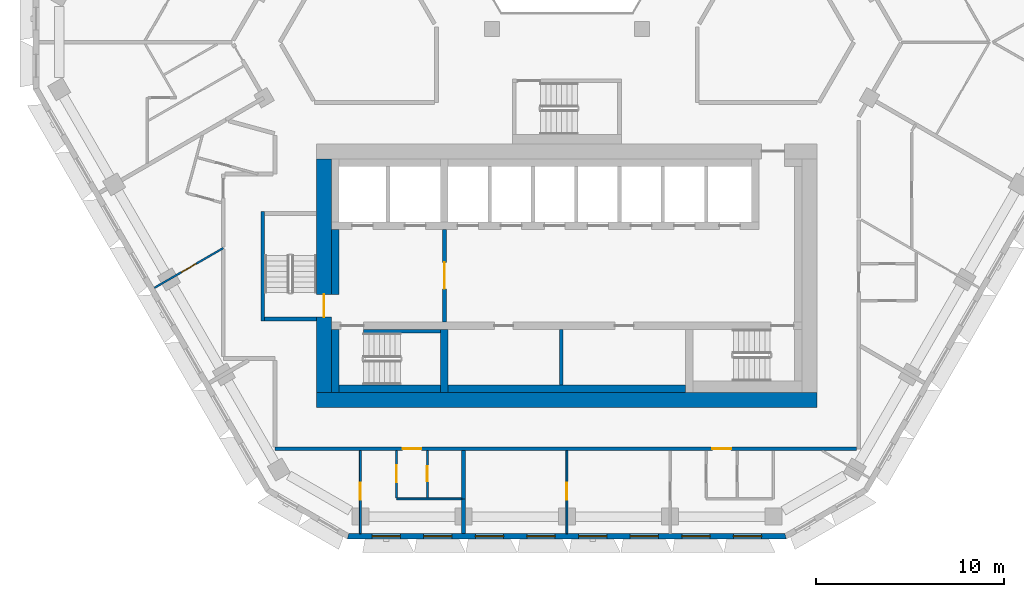
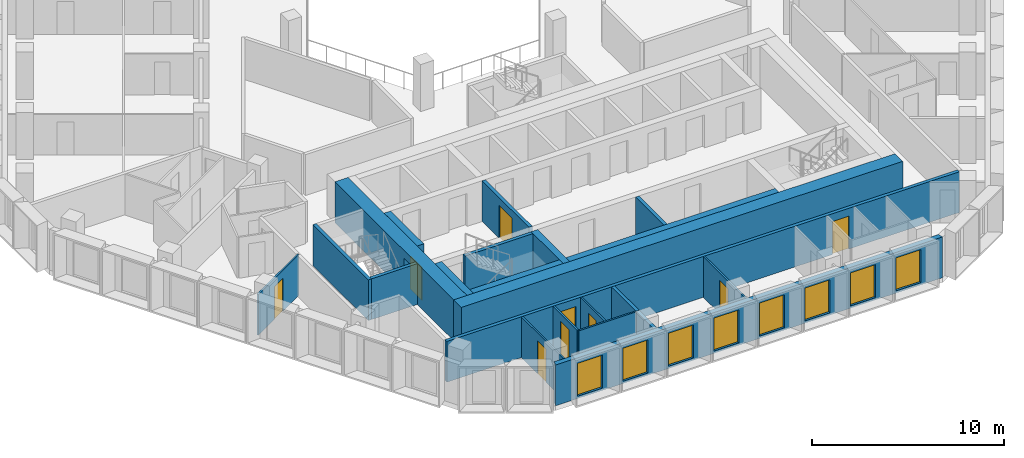
# One storey, part 3 of 17: 22 walls, 9 doors, 8 windows, 17 openings.
"""IFC4 building model written with IfcOpenShell, lengths in metres."""

import ifcopenshell
import ifcopenshell.guid

model = None  # the IFC model being written
_history = None  # IfcOwnerHistory: only IFC2X3 demands one
_inside = {}  # id of a spatial element -> (the spatial element, [elements in it])
_under = {}  # id of a project, library or spatial element -> (it, [spatial elements below it])
_declared = {}  # id of a project -> (the project, [libraries it declares])
_typed = {}  # id of a type object -> (the type object, [elements of that type])
_made_of = {}  # id of a material, layer set ... -> (it, [elements and type objects made of it])


def new_model(schema):
    """Start an empty IFC model of exactly this schema.

    Asked for "IFC4X3", IfcOpenShell would pick the latest addendum, in which some entities
    have other attributes; the version numbers below select the first issue.
    IFC2X3 requires an IfcOwnerHistory on every rooted entity: one is made here for all.
    """
    global model, _history
    if schema == "IFC4X3":
        model = ifcopenshell.file(schema_version=(4, 3, 0, 0))
    else:
        model = ifcopenshell.file(schema=schema)
    _inside.clear()
    _under.clear()
    _declared.clear()
    _typed.clear()
    _made_of.clear()
    _history = None
    if model.schema == "IFC2X3":
        org = make("IfcOrganization", Name="unknown")
        user = make(
            "IfcPersonAndOrganization",
            ThePerson=make("IfcPerson", FamilyName="unknown"),
            TheOrganization=org,
        )
        app = make(
            "IfcApplication",
            ApplicationDeveloper=org,
            Version="unknown",
            ApplicationFullName="unknown",
            ApplicationIdentifier="unknown",
        )
        _history = make(
            "IfcOwnerHistory",
            OwningUser=user,
            OwningApplication=app,
            ChangeAction="ADDED",
            CreationDate=0,
        )
    return model


def make(cls, **values):
    """One entity of the class cls with the attributes given. An attribute that is None is left unset."""
    return model.create_entity(
        cls, **{name: value for name, value in values.items() if value is not None}
    )


def rooted(cls, **values):
    """An entity with a GlobalId (a new one), such as an element, a storey or a relation."""
    return make(cls, GlobalId=ifcopenshell.guid.new(), OwnerHistory=_history, **values)


def si_unit(unit_type, name, prefix=None):
    """IfcSIUnit, for example si_unit("LENGTHUNIT", "METRE", prefix="MILLI")."""
    return make("IfcSIUnit", UnitType=unit_type, Prefix=prefix, Name=name)


def assignment(units):
    """IfcUnitAssignment: the units of a project."""
    return None if units is None else make("IfcUnitAssignment", Units=units)


def point(xyz):
    """IfcCartesianPoint."""
    return None if xyz is None else make("IfcCartesianPoint", Coordinates=xyz)


def direction(xyz):
    """IfcDirection."""
    return None if xyz is None else make("IfcDirection", DirectionRatios=xyz)


def frame(location, z_axis=None, x_axis=None):
    """IfcAxis2Placement3D, a coordinate frame: its origin and axes. An axis left out is left unset."""
    return make(
        "IfcAxis2Placement3D",
        Location=point(location),
        Axis=direction(z_axis),
        RefDirection=direction(x_axis),
    )


def frame_2d(location, x_axis=None):
    """IfcAxis2Placement2D, a coordinate frame in the plane: its origin and x axis."""
    return make(
        "IfcAxis2Placement2D", Location=point(location), RefDirection=direction(x_axis)
    )


def origin():
    """The frame at (0, 0, 0) with its axes left unset."""
    return frame((0.0, 0.0, 0.0))


def place(relative_to, where):
    """IfcLocalPlacement: puts the frame where relative to a parent placement (None: the world)."""
    return make(
        "IfcLocalPlacement", PlacementRelTo=relative_to, RelativePlacement=where
    )


def context(
    kind, dimensions, precision=None, world=None, true_north=None, identifier=None
):
    """IfcGeometricRepresentationContext, for example the 3D "Model" context."""
    return make(
        "IfcGeometricRepresentationContext",
        ContextIdentifier=identifier,
        ContextType=kind,
        CoordinateSpaceDimension=dimensions,
        Precision=precision,
        WorldCoordinateSystem=world,
        TrueNorth=true_north,
    )


def subcontext(parent, identifier, kind, view, scale=None):
    """IfcGeometricRepresentationSubContext, for example "Body" below "Model"."""
    return make(
        "IfcGeometricRepresentationSubContext",
        ContextIdentifier=identifier,
        ContextType=kind,
        ParentContext=parent,
        TargetScale=scale,
        TargetView=view,
    )


def project(units=None, contexts=None):
    """IfcProject with its units and contexts."""
    return rooted(
        "IfcProject",
        Name="project",
        RepresentationContexts=contexts,
        UnitsInContext=assignment(units),
    )


def spatial(cls, under=None, at=None, **own):
    """A site, building, storey or space (cls), placed at a placement, below another one or the project."""
    s = rooted(cls, ObjectPlacement=at, **own)
    if under is not None:
        _under.setdefault(under.id(), (under, []))[1].append(s)
    return s


def polyline(points):
    """IfcPolyline through the points."""
    return make("IfcPolyline", Points=[point(p) for p in points])


def profile(cls, at=None, kind="AREA", **sizes):
    """A parametric profile (cls). Its sizes go by their IFC names, for example OverallWidth=200.0."""
    return make(cls, ProfileType=kind, Position=at, **sizes)


def rectangle(**sizes):
    """IfcRectangleProfileDef."""
    return profile("IfcRectangleProfileDef", **sizes)


def outline(outer, holes=None, kind="AREA"):
    """IfcArbitraryClosedProfileDef: a profile drawn as a closed curve; with holes, ...WithVoids."""
    if holes is None:
        return make("IfcArbitraryClosedProfileDef", ProfileType=kind, OuterCurve=outer)
    return make(
        "IfcArbitraryProfileDefWithVoids",
        ProfileType=kind,
        OuterCurve=outer,
        InnerCurves=holes,
    )


def extrude(swept, where, along, depth):
    """IfcExtrudedAreaSolid: the profile swept, set in the frame where, extruded along a direction by depth."""
    return make(
        "IfcExtrudedAreaSolid",
        SweptArea=swept,
        Position=where,
        ExtrudedDirection=direction(along),
        Depth=depth,
    )


def shape(context_of_items, identifier, shape_type, items):
    """IfcShapeRepresentation: the items that make up one representation, for example the "Body"."""
    return make(
        "IfcShapeRepresentation",
        ContextOfItems=context_of_items,
        RepresentationIdentifier=identifier,
        RepresentationType=shape_type,
        Items=items,
    )


def material(Name=None, Category=None):
    """IfcMaterial."""
    return make("IfcMaterial", Name=Name, Category=Category)


def layer(
    of_material, thickness, ventilated=None, Name=None, Category=None, Priority=None
):
    """IfcMaterialLayer: one layer of a wall or slab, of a material (None: an air gap)."""
    return make(
        "IfcMaterialLayer",
        Material=of_material,
        LayerThickness=thickness,
        IsVentilated=ventilated,
        Name=Name,
        Category=Category,
        Priority=Priority,
    )


def layer_set(layers, Name=None):
    """IfcMaterialLayerSet."""
    return make("IfcMaterialLayerSet", MaterialLayers=layers, LayerSetName=Name)


def made_of(thing, what):
    """Note that an element or type object is made of a material, layer set ...; save() writes the relation."""
    if what is not None:
        _made_of.setdefault(what.id(), (what, []))[1].append(thing)
    return thing


def type_object(cls, material=None, **own):
    """A type object (cls), such as IfcWallType, which elements share."""
    return made_of(rooted(cls, **own), material)


def element(
    cls,
    number,
    at=None,
    inside=None,
    cuts=None,
    type_object=None,
    material=None,
    context=None,
    identifier="Body",
    shape_type=None,
    held_by="IfcProductDefinitionShape",
    body=None,
    shapes=None,
    **own,
):
    """One element of the class cls, such as IfcWall. Its Tag is "e" and its number.

    at: its placement. inside: the storey or other place that contains it. cuts: it is an
    opening in that element (IfcRelVoidsElement). A single representation is given by context,
    identifier, shape_type and body (its items); several are given by shapes. held_by: the class
    of the entity that holds the representations. save() writes the other relations.
    """
    e = rooted(cls, Tag="e%d" % number, ObjectPlacement=at, **own)
    if body is not None:
        shapes = [shape(context, identifier, shape_type, body)]
    if shapes is not None:
        e.Representation = make(held_by, Representations=shapes)
    if inside is not None:
        _inside.setdefault(inside.id(), (inside, []))[1].append(e)
    if cuts is not None:
        rooted(
            "IfcRelVoidsElement", RelatingBuildingElement=cuts, RelatedOpeningElement=e
        )
    if type_object is not None:
        _typed.setdefault(type_object.id(), (type_object, []))[1].append(e)
    return made_of(e, material)


def fill(opening, filler):
    """IfcRelFillsElement: the door or window that sits in an opening."""
    return rooted(
        "IfcRelFillsElement",
        RelatingOpeningElement=opening,
        RelatedBuildingElement=filler,
    )


def aggregate(whole, parts):
    """IfcRelAggregates: a whole, such as a stair, and the parts it consists of."""
    return rooted("IfcRelAggregates", RelatingObject=whole, RelatedObjects=parts)


def save(model, path):
    """Write the relations noted so far, then the file.

    IfcRelAggregates (storeys below a building ...), IfcRelContainedInSpatialStructure (elements
    in a storey), IfcRelDefinesByType, IfcRelAssociatesMaterial and IfcRelDeclares: one each for
    every whole, place, type object, material and project.
    """
    for whole, parts in _under.values():
        aggregate(whole, parts)
    for where, things in _inside.values():
        rooted(
            "IfcRelContainedInSpatialStructure",
            RelatedElements=things,
            RelatingStructure=where,
        )
    for kind, things in _typed.values():
        rooted("IfcRelDefinesByType", RelatedObjects=things, RelatingType=kind)
    for what, things in _made_of.values():
        rooted("IfcRelAssociatesMaterial", RelatedObjects=things, RelatingMaterial=what)
    for by, libraries in _declared.values():
        rooted("IfcRelDeclares", RelatingContext=by, RelatedDefinitions=libraries)
    model.write(path)


model = new_model("IFC4")

# Units and contexts
model_context = context("Model", 3, precision=1e-05, world=origin(), true_north=direction((0.0, 1.0)))
body_context = subcontext(model_context, "Body", "Model", "MODEL_VIEW")
ifc_project = project(units=[si_unit("LENGTHUNIT", "METRE"), si_unit("AREAUNIT", "SQUARE_METRE"), si_unit("VOLUMEUNIT", "CUBIC_METRE"), si_unit("PLANEANGLEUNIT", "RADIAN"), si_unit("MASSUNIT", "GRAM", prefix="KILO")], contexts=[model_context])

# Site, building, storey
site_placement = place(None, origin())
site = spatial("IfcSite", under=ifc_project, at=site_placement, CompositionType="ELEMENT")
building_placement = place(site_placement, origin())
building = spatial("IfcBuilding", under=site, at=building_placement, Name="Beryl Residences", CompositionType="ELEMENT")
storey_placement = place(building_placement, frame((0.0, 0.0, 150.60009765625)))
storey = spatial("IfcBuildingStorey", under=building, at=storey_placement, Name="L46", CompositionType="ELEMENT", Elevation=150.60009765625)

# Wall, openings, windows
ifc_material_1 = material(Name="Composite metal panel with mineral wool insulation")
ifc_layer_1 = layer(ifc_material_1, 0.300048828125)
ifc_layer_set_1 = layer_set([ifc_layer_1], Name="ES1 pale metal composite panel wall 300 mm")
wall_type_1 = type_object("IfcWallType", Name="ES1 pale metal composite panel wall 300 mm", PredefinedType="SOLIDWALL", material=ifc_layer_set_1)
wall_1_placement = place(storey_placement, frame((-11.662109375, -25.85009765625, 0.0), z_axis=(0.0, 0.0, 1.0), x_axis=(1.0, 0.0, 0.0)))
wall_1 = element("IfcWall", 1, at=wall_1_placement, inside=storey, type_object=wall_type_1, Name="ES1 external wall L46 S", PredefinedType="SOLIDWALL", context=body_context, shape_type="SweptSolid", body=[
    extrude(outline(polyline([(0.0, -0.14990234375), (23.32421875, -0.14990234375), (23.243896484375, 0.14990234375), (0.080322265625, 0.14990234375), (0.0, -0.14990234375)])), origin(), (0.0, 0.0, 1.0), 2.599853515625),
])
opening_1_placement = place(wall_1_placement, frame((1.31396484375, 0.0, 0.14990234375)))
opening_1 = element("IfcOpeningElement", 2, at=opening_1_placement, cuts=wall_1, Name="Opening W1", PredefinedType="OPENING", context=body_context, shape_type="SweptSolid", body=[
    extrude(rectangle(XDim=1.5, YDim=2.10009765625, at=frame_2d((0.75, 1.050048828125))), frame((0.0, 0.159912109375, 0.0), z_axis=(0.0, -1.0, 0.0), x_axis=(1.0, 0.0, 0.0)), (0.0, 0.0, 1.0), 0.320068359375),
])
opening_2_placement = place(wall_1_placement, frame((4.056884765625, 0.0, 0.14990234375)))
opening_2 = element("IfcOpeningElement", 3, at=opening_2_placement, cuts=wall_1, Name="Opening W1", PredefinedType="OPENING", context=body_context, shape_type="SweptSolid", body=[
    extrude(rectangle(XDim=1.5, YDim=2.10009765625, at=frame_2d((0.75, 1.050048828125))), frame((0.0, 0.159912109375, 0.0), z_axis=(0.0, -1.0, 0.0), x_axis=(1.0, 0.0, 0.0)), (0.0, 0.0, 1.0), 0.320068359375),
])
opening_3_placement = place(wall_1_placement, frame((6.799072265625, 0.0, 0.14990234375)))
opening_3 = element("IfcOpeningElement", 4, at=opening_3_placement, cuts=wall_1, Name="Opening W1", PredefinedType="OPENING", context=body_context, shape_type="SweptSolid", body=[
    extrude(rectangle(XDim=1.5, YDim=2.10009765625, at=frame_2d((0.75, 1.050048828125))), frame((0.0, 0.159912109375, 0.0), z_axis=(0.0, -1.0, 0.0), x_axis=(1.0, 0.0, 0.0)), (0.0, 0.0, 1.0), 0.320068359375),
])
opening_4_placement = place(wall_1_placement, frame((9.5419921875, 0.0, 0.14990234375)))
opening_4 = element("IfcOpeningElement", 5, at=opening_4_placement, cuts=wall_1, Name="Opening W1", PredefinedType="OPENING", context=body_context, shape_type="SweptSolid", body=[
    extrude(rectangle(XDim=1.5, YDim=2.10009765625, at=frame_2d((0.75, 1.050048828125))), frame((0.0, 0.159912109375, 0.0), z_axis=(0.0, -1.0, 0.0), x_axis=(1.0, 0.0, 0.0)), (0.0, 0.0, 1.0), 0.320068359375),
])
opening_5_placement = place(wall_1_placement, frame((12.283935546875, 0.0, 0.14990234375)))
opening_5 = element("IfcOpeningElement", 6, at=opening_5_placement, cuts=wall_1, Name="Opening W1", PredefinedType="OPENING", context=body_context, shape_type="SweptSolid", body=[
    extrude(rectangle(XDim=1.5, YDim=2.10009765625, at=frame_2d((0.75, 1.050048828125))), frame((0.0, 0.159912109375, 0.0), z_axis=(0.0, -1.0, 0.0), x_axis=(1.0, 0.0, 0.0)), (0.0, 0.0, 1.0), 0.320068359375),
])
opening_6_placement = place(wall_1_placement, frame((15.027099609375, 0.0, 0.14990234375)))
opening_6 = element("IfcOpeningElement", 7, at=opening_6_placement, cuts=wall_1, Name="Opening W1", PredefinedType="OPENING", context=body_context, shape_type="SweptSolid", body=[
    extrude(rectangle(XDim=1.5, YDim=2.10009765625, at=frame_2d((0.75, 1.050048828125))), frame((0.0, 0.159912109375, 0.0), z_axis=(0.0, -1.0, 0.0), x_axis=(1.0, 0.0, 0.0)), (0.0, 0.0, 1.0), 0.320068359375),
])
opening_7_placement = place(wall_1_placement, frame((17.76904296875, 0.0, 0.14990234375)))
opening_7 = element("IfcOpeningElement", 8, at=opening_7_placement, cuts=wall_1, Name="Opening W1", PredefinedType="OPENING", context=body_context, shape_type="SweptSolid", body=[
    extrude(rectangle(XDim=1.5, YDim=2.10009765625, at=frame_2d((0.75, 1.050048828125))), frame((0.0, 0.159912109375, 0.0), z_axis=(0.0, -1.0, 0.0), x_axis=(1.0, 0.0, 0.0)), (0.0, 0.0, 1.0), 0.320068359375),
])
opening_8_placement = place(wall_1_placement, frame((20.511962890625, 0.0, 0.14990234375)))
opening_8 = element("IfcOpeningElement", 9, at=opening_8_placement, cuts=wall_1, Name="Opening W1", PredefinedType="OPENING", context=body_context, shape_type="SweptSolid", body=[
    extrude(rectangle(XDim=1.5, YDim=2.10009765625, at=frame_2d((0.75, 1.050048828125))), frame((0.0, 0.159912109375, 0.0), z_axis=(0.0, -1.0, 0.0), x_axis=(1.0, 0.0, 0.0)), (0.0, 0.0, 1.0), 0.320068359375),
])
ifc_material_2 = material(Name="Aluminium and clear glass", Category="aluminium")
window_type = type_object("IfcWindowType", Name="W1 cell window 1500 x 2100 mm", PartitioningType="SINGLE_PANEL", PredefinedType="WINDOW", material=ifc_material_2)
window_1_placement = place(opening_1_placement, origin())
window_1 = element("IfcWindow", 10, at=window_1_placement, inside=storey, type_object=window_type, Name="W1 window L46 S 1", OverallHeight=2.10009765625, OverallWidth=1.5, PartitioningType="SINGLE_PANEL", PredefinedType="WINDOW", context=body_context, shape_type="SweptSolid", body=[
    extrude(rectangle(XDim=1.5, YDim=2.10009765625, at=frame_2d((0.75, 1.050048828125))), frame((0.0, 0.030029296875, 0.0), z_axis=(0.0, -1.0, 0.0), x_axis=(1.0, 0.0, 0.0)), (0.0, 0.0, 1.0), 0.06005859375),
])
fill(opening_1, window_1)
window_2_placement = place(opening_2_placement, origin())
window_2 = element("IfcWindow", 11, at=window_2_placement, inside=storey, type_object=window_type, Name="W1 window L46 S 2", OverallHeight=2.10009765625, OverallWidth=1.5, PartitioningType="SINGLE_PANEL", PredefinedType="WINDOW", context=body_context, shape_type="SweptSolid", body=[
    extrude(rectangle(XDim=1.5, YDim=2.10009765625, at=frame_2d((0.75, 1.050048828125))), frame((0.0, 0.030029296875, 0.0), z_axis=(0.0, -1.0, 0.0), x_axis=(1.0, 0.0, 0.0)), (0.0, 0.0, 1.0), 0.06005859375),
])
fill(opening_2, window_2)
window_3_placement = place(opening_3_placement, origin())
window_3 = element("IfcWindow", 12, at=window_3_placement, inside=storey, type_object=window_type, Name="W1 window L46 S 3", OverallHeight=2.10009765625, OverallWidth=1.5, PartitioningType="SINGLE_PANEL", PredefinedType="WINDOW", context=body_context, shape_type="SweptSolid", body=[
    extrude(rectangle(XDim=1.5, YDim=2.10009765625, at=frame_2d((0.75, 1.050048828125))), frame((0.0, 0.030029296875, 0.0), z_axis=(0.0, -1.0, 0.0), x_axis=(1.0, 0.0, 0.0)), (0.0, 0.0, 1.0), 0.06005859375),
])
fill(opening_3, window_3)
window_4_placement = place(opening_4_placement, origin())
window_4 = element("IfcWindow", 13, at=window_4_placement, inside=storey, type_object=window_type, Name="W1 window L46 S 4", OverallHeight=2.10009765625, OverallWidth=1.5, PartitioningType="SINGLE_PANEL", PredefinedType="WINDOW", context=body_context, shape_type="SweptSolid", body=[
    extrude(rectangle(XDim=1.5, YDim=2.10009765625, at=frame_2d((0.75, 1.050048828125))), frame((0.0, 0.030029296875, 0.0), z_axis=(0.0, -1.0, 0.0), x_axis=(1.0, 0.0, 0.0)), (0.0, 0.0, 1.0), 0.06005859375),
])
fill(opening_4, window_4)
window_5_placement = place(opening_5_placement, origin())
window_5 = element("IfcWindow", 14, at=window_5_placement, inside=storey, type_object=window_type, Name="W1 window L46 S 5", OverallHeight=2.10009765625, OverallWidth=1.5, PartitioningType="SINGLE_PANEL", PredefinedType="WINDOW", context=body_context, shape_type="SweptSolid", body=[
    extrude(rectangle(XDim=1.5, YDim=2.10009765625, at=frame_2d((0.75, 1.050048828125))), frame((0.0, 0.030029296875, 0.0), z_axis=(0.0, -1.0, 0.0), x_axis=(1.0, 0.0, 0.0)), (0.0, 0.0, 1.0), 0.06005859375),
])
fill(opening_5, window_5)
window_6_placement = place(opening_6_placement, origin())
window_6 = element("IfcWindow", 15, at=window_6_placement, inside=storey, type_object=window_type, Name="W1 window L46 S 6", OverallHeight=2.10009765625, OverallWidth=1.5, PartitioningType="SINGLE_PANEL", PredefinedType="WINDOW", context=body_context, shape_type="SweptSolid", body=[
    extrude(rectangle(XDim=1.5, YDim=2.10009765625, at=frame_2d((0.75, 1.050048828125))), frame((0.0, 0.030029296875, 0.0), z_axis=(0.0, -1.0, 0.0), x_axis=(1.0, 0.0, 0.0)), (0.0, 0.0, 1.0), 0.06005859375),
])
fill(opening_6, window_6)
window_7_placement = place(opening_7_placement, origin())
window_7 = element("IfcWindow", 16, at=window_7_placement, inside=storey, type_object=window_type, Name="W1 window L46 S 7", OverallHeight=2.10009765625, OverallWidth=1.5, PartitioningType="SINGLE_PANEL", PredefinedType="WINDOW", context=body_context, shape_type="SweptSolid", body=[
    extrude(rectangle(XDim=1.5, YDim=2.10009765625, at=frame_2d((0.75, 1.050048828125))), frame((0.0, 0.030029296875, 0.0), z_axis=(0.0, -1.0, 0.0), x_axis=(1.0, 0.0, 0.0)), (0.0, 0.0, 1.0), 0.06005859375),
])
fill(opening_7, window_7)
window_8_placement = place(opening_8_placement, origin())
window_8 = element("IfcWindow", 17, at=window_8_placement, inside=storey, type_object=window_type, Name="W1 window L46 S 8", OverallHeight=2.10009765625, OverallWidth=1.5, PartitioningType="SINGLE_PANEL", PredefinedType="WINDOW", context=body_context, shape_type="SweptSolid", body=[
    extrude(rectangle(XDim=1.5, YDim=2.10009765625, at=frame_2d((0.75, 1.050048828125))), frame((0.0, 0.030029296875, 0.0), z_axis=(0.0, -1.0, 0.0), x_axis=(1.0, 0.0, 0.0)), (0.0, 0.0, 1.0), 0.06005859375),
])
fill(opening_8, window_8)

# Wall, opening, door
ifc_material_3 = material(Name="Gypsum board partition on steel studs", Category="steel")
ifc_layer_2 = layer(ifc_material_3, 0.10009765625)
ifc_layer_set_2 = layer_set([ifc_layer_2], Name="PT1 partition 100 mm gypsum board on steel studs")
wall_type_2 = type_object("IfcWallType", Name="PT1 partition 100 mm gypsum board on steel studs", PredefinedType="PARTITIONING", material=ifc_layer_set_2)
wall_2_placement = place(storey_placement, frame((-9.049072265625, -21.300048828125, 0.0), z_axis=(0.0, 0.0, 1.0), x_axis=(0.0, -1.0, 0.0)))
wall_2 = element("IfcWall", 18, at=wall_2_placement, inside=storey, type_object=wall_type_2, Name="Wall PT1 L46 008", PredefinedType="PARTITIONING", context=body_context, shape_type="SweptSolid", body=[
    extrude(rectangle(XDim=2.509033203125, YDim=0.10009765625, at=frame_2d((1.25439453125, 0.0))), origin(), (0.0, 0.0, 1.0), 2.599853515625),
])
opening_9_placement = place(wall_2_placement, frame((0.780029296875, 0.0, 0.0)))
opening_9 = element("IfcOpeningElement", 19, at=opening_9_placement, cuts=wall_2, Name="Opening D1106", PredefinedType="OPENING", context=body_context, shape_type="SweptSolid", body=[
    extrude(rectangle(XDim=0.89990234375, YDim=2.10009765625, at=frame_2d((0.449951171875, 1.050048828125))), frame((0.0, 0.06005859375, 0.0), z_axis=(0.0, -1.0, 0.0), x_axis=(1.0, 0.0, 0.0)), (0.0, 0.0, 1.0), 0.1201171875),
])
ifc_material_4 = material(Name="Timber door leaf", Category="wood")
door_type_1 = type_object("IfcDoorType", Name="D2 room door 900 x 2100 mm", OperationType="SINGLE_SWING_LEFT", PredefinedType="DOOR", material=ifc_material_4)
door_1_placement = place(opening_9_placement, origin())
door_1 = element("IfcDoor", 20, at=door_1_placement, inside=storey, type_object=door_type_1, Name="Door D1106 L46 001", OperationType="SINGLE_SWING_RIGHT", OverallHeight=2.10009765625, OverallWidth=0.89990234375, PredefinedType="DOOR", context=body_context, shape_type="SweptSolid", body=[
    extrude(rectangle(XDim=0.89990234375, YDim=2.10009765625, at=frame_2d((0.449951171875, 1.050048828125))), frame((0.0, 0.02490234375, 0.0), z_axis=(0.0, -1.0, 0.0), x_axis=(1.0, 0.0, 0.0)), (0.0, 0.0, 1.0), 0.050048828125),
])
fill(opening_9, door_1)

# Wall
wall_3_placement = place(storey_placement, frame((-9.048095703125, -23.860107421875, 0.0), z_axis=(0.0, 0.0, 1.0), x_axis=(1.0, 0.0, 0.0)))
element("IfcWall", 21, at=wall_3_placement, inside=storey, type_object=wall_type_2, Name="Wall PT1 L46 021", PredefinedType="PARTITIONING", context=body_context, shape_type="SweptSolid", body=[
    extrude(rectangle(XDim=3.464111328125, YDim=0.10009765625, at=frame_2d((1.73193359375, 0.0))), origin(), (0.0, 0.0, 1.0), 2.599853515625),
])

# Wall, opening, door
wall_4_placement = place(storey_placement, frame((0.0009765625, -25.699951171875, 0.0), z_axis=(0.0, 0.0, 1.0), x_axis=(0.0, 1.0, 0.0)))
wall_4 = element("IfcWall", 22, at=wall_4_placement, inside=storey, type_object=wall_type_2, Name="Wall PT1 L46 044", PredefinedType="PARTITIONING", context=body_context, shape_type="SweptSolid", body=[
    extrude(rectangle(XDim=4.39990234375, YDim=0.10009765625, at=frame_2d((2.199951171875, 0.0))), origin(), (0.0, 0.0, 1.0), 2.599853515625),
])
opening_10_placement = place(wall_4_placement, frame((1.800048828125, 0.0, 0.0)))
opening_10 = element("IfcOpeningElement", 23, at=opening_10_placement, cuts=wall_4, Name="Opening D1114", PredefinedType="OPENING", context=body_context, shape_type="SweptSolid", body=[
    extrude(rectangle(XDim=0.89990234375, YDim=2.10009765625, at=frame_2d((0.449951171875, 1.050048828125))), frame((0.0, 0.06005859375, 0.0), z_axis=(0.0, -1.0, 0.0), x_axis=(1.0, 0.0, 0.0)), (0.0, 0.0, 1.0), 0.1201171875),
])
door_2_placement = place(opening_10_placement, origin())
door_2 = element("IfcDoor", 24, at=door_2_placement, inside=storey, type_object=door_type_1, Name="Door D1114 L46 001", OperationType="SINGLE_SWING_RIGHT", OverallHeight=2.10009765625, OverallWidth=0.89990234375, PredefinedType="DOOR", context=body_context, shape_type="SweptSolid", body=[
    extrude(rectangle(XDim=0.89990234375, YDim=2.10009765625, at=frame_2d((0.449951171875, 1.050048828125))), frame((0.0, 0.02490234375, 0.0), z_axis=(0.0, -1.0, 0.0), x_axis=(1.0, 0.0, 0.0)), (0.0, 0.0, 1.0), 0.050048828125),
])
fill(opening_10, door_2)

wall_5_placement = place(storey_placement, frame((-7.404052734375, -23.81005859375, 0.0), z_axis=(0.0, 0.0, 1.0), x_axis=(0.0, 1.0, 0.0)))
wall_5 = element("IfcWall", 25, at=wall_5_placement, inside=storey, type_object=wall_type_2, Name="Wall PT1 L46 047", PredefinedType="PARTITIONING", context=body_context, shape_type="SweptSolid", body=[
    extrude(rectangle(XDim=2.510009765625, YDim=0.10009765625, at=frame_2d((1.2548828125, 0.0))), origin(), (0.0, 0.0, 1.0), 2.599853515625),
])
opening_11_placement = place(wall_5_placement, frame((0.8798828125, 0.0, 0.0)))
opening_11 = element("IfcOpeningElement", 26, at=opening_11_placement, cuts=wall_5, Name="Opening D1107", PredefinedType="OPENING", context=body_context, shape_type="SweptSolid", body=[
    extrude(rectangle(XDim=0.800048828125, YDim=2.10009765625, at=frame_2d((0.39990234375, 1.050048828125))), frame((0.0, 0.06005859375, 0.0), z_axis=(0.0, -1.0, 0.0), x_axis=(1.0, 0.0, 0.0)), (0.0, 0.0, 1.0), 0.1201171875),
])
ifc_material_5 = material(Name="Timber door leaf", Category="wood")
door_type_2 = type_object("IfcDoorType", Name="D3 bathroom door 800 x 2100 mm", OperationType="SINGLE_SWING_LEFT", PredefinedType="DOOR", material=ifc_material_5)
door_3_placement = place(opening_11_placement, origin())
door_3 = element("IfcDoor", 27, at=door_3_placement, inside=storey, type_object=door_type_2, Name="Door D1107 L46 001", OperationType="SINGLE_SWING_LEFT", OverallHeight=2.10009765625, OverallWidth=0.800048828125, PredefinedType="DOOR", context=body_context, shape_type="SweptSolid", body=[
    extrude(rectangle(XDim=0.800048828125, YDim=2.10009765625, at=frame_2d((0.39990234375, 1.050048828125))), frame((0.0, 0.02490234375, 0.0), z_axis=(0.0, -1.0, 0.0), x_axis=(1.0, 0.0, 0.0)), (0.0, 0.0, 1.0), 0.050048828125),
])
fill(opening_11, door_3)

wall_6_placement = place(storey_placement, frame((-10.968994140625, -25.699951171875, 0.0), z_axis=(0.0, 0.0, 1.0), x_axis=(0.0, 1.0, 0.0)))
wall_6 = element("IfcWall", 28, at=wall_6_placement, inside=storey, type_object=wall_type_2, Name="Wall PT1 L46 048", PredefinedType="PARTITIONING", context=body_context, shape_type="SweptSolid", body=[
    extrude(rectangle(XDim=4.39990234375, YDim=0.10009765625, at=frame_2d((2.199951171875, 0.0))), origin(), (0.0, 0.0, 1.0), 2.599853515625),
])
opening_12_placement = place(wall_6_placement, frame((1.800048828125, 0.0, 0.0)))
opening_12 = element("IfcOpeningElement", 29, at=opening_12_placement, cuts=wall_6, Name="Opening D1108", PredefinedType="OPENING", context=body_context, shape_type="SweptSolid", body=[
    extrude(rectangle(XDim=0.89990234375, YDim=2.10009765625, at=frame_2d((0.449951171875, 1.050048828125))), frame((0.0, 0.06005859375, 0.0), z_axis=(0.0, -1.0, 0.0), x_axis=(1.0, 0.0, 0.0)), (0.0, 0.0, 1.0), 0.1201171875),
])
door_4_placement = place(opening_12_placement, origin())
door_4 = element("IfcDoor", 30, at=door_4_placement, inside=storey, type_object=door_type_1, Name="Door D1108 L46 001", OperationType="SINGLE_SWING_RIGHT", OverallHeight=2.10009765625, OverallWidth=0.89990234375, PredefinedType="DOOR", context=body_context, shape_type="SweptSolid", body=[
    extrude(rectangle(XDim=0.89990234375, YDim=2.10009765625, at=frame_2d((0.449951171875, 1.050048828125))), frame((0.0, 0.02490234375, 0.0), z_axis=(0.0, -1.0, 0.0), x_axis=(1.0, 0.0, 0.0)), (0.0, 0.0, 1.0), 0.050048828125),
])
fill(opening_12, door_4)

wall_7_placement = place(storey_placement, frame((-21.910888671875, -12.64892578125, 0.0), z_axis=(0.0, 0.0, 1.0), x_axis=(0.865984571374, 0.500070717141, 0.0)))
wall_7 = element("IfcWall", 31, at=wall_7_placement, inside=storey, type_object=wall_type_2, Name="Wall PT1 L46 052", PredefinedType="PARTITIONING", context=body_context, shape_type="SweptSolid", body=[
    extrude(rectangle(XDim=4.2275390625, YDim=0.10009765625, at=frame_2d((2.11376953125, 0.0))), origin(), (0.0, 0.0, 1.0), 2.599853515625),
])
opening_13_placement = place(wall_7_placement, frame((1.6630859375, 0.0, 0.0)))
opening_13 = element("IfcOpeningElement", 32, at=opening_13_placement, cuts=wall_7, Name="Opening D1104", PredefinedType="OPENING", context=body_context, shape_type="SweptSolid", body=[
    extrude(rectangle(XDim=0.89990234375, YDim=2.10009765625, at=frame_2d((0.449951171875, 1.050048828125))), frame((0.0, 0.06005859375, 0.0), z_axis=(0.0, -1.0, 0.0), x_axis=(1.0, 0.0, 0.0)), (0.0, 0.0, 1.0), 0.1201171875),
])
door_5_placement = place(opening_13_placement, origin())
door_5 = element("IfcDoor", 33, at=door_5_placement, inside=storey, type_object=door_type_1, Name="Door D1104 L46 001", OperationType="SINGLE_SWING_RIGHT", OverallHeight=2.10009765625, OverallWidth=0.89990234375, PredefinedType="DOOR", context=body_context, shape_type="SweptSolid", body=[
    extrude(rectangle(XDim=0.89990234375, YDim=2.10009765625, at=frame_2d((0.449951171875, 1.050048828125))), frame((0.0, 0.02490234375, 0.0), z_axis=(0.0, -1.0, 0.0), x_axis=(1.0, 0.0, 0.0)), (0.0, 0.0, 1.0), 0.050048828125),
])
fill(opening_13, door_5)

ifc_material_6 = material(Name="Concrete masonry", Category="masonry")
ifc_layer_3 = layer(ifc_material_6, 0.199951171875)
ifc_layer_set_3 = layer_set([ifc_layer_3], Name="PT13 lobby wall 200 mm")
wall_type_3 = type_object("IfcWallType", Name="PT13 lobby wall 200 mm", PredefinedType="PARTITIONING", material=ifc_layer_set_3)
wall_8_placement = place(storey_placement, frame((-6.5, -14.449951171875, 0.0), z_axis=(0.0, 0.0, 1.0), x_axis=(0.0, 1.0, 0.0)))
wall_8 = element("IfcWall", 34, at=wall_8_placement, inside=storey, type_object=wall_type_3, Name="Lobby wall 11", PredefinedType="PARTITIONING", context=body_context, shape_type="SweptSolid", body=[
    extrude(rectangle(XDim=4.89990234375, YDim=0.199951171875, at=frame_2d((2.449951171875, 0.0))), origin(), (0.0, 0.0, 1.0), 2.599853515625),
])
opening_14_placement = place(wall_8_placement, frame((3.14990234375, 0.0, 0.0), z_axis=(0.0, 0.0, 1.0), x_axis=(-1.0, 0.0, 0.0)))
opening_14 = element("IfcOpeningElement", 35, at=opening_14_placement, cuts=wall_8, Name="Opening FD-FFL", PredefinedType="OPENING", context=body_context, shape_type="SweptSolid", body=[
    extrude(rectangle(XDim=1.39990234375, YDim=2.10009765625, at=frame_2d((0.699951171875, 1.050048828125))), frame((0.0, 0.10986328125, 0.0), z_axis=(0.0, -1.0, 0.0), x_axis=(1.0, 0.0, 0.0)), (0.0, 0.0, 1.0), 0.219970703125),
])
ifc_material_7 = material(Name="Steel door leaf in steel frame", Category="steel")
door_type_3 = type_object("IfcDoorType", Name="D5 lobby door 1400 x 2100 mm", OperationType="DOUBLE_DOOR_SINGLE_SWING", PredefinedType="DOOR", material=ifc_material_7)
door_6_placement = place(opening_14_placement, origin())
door_6 = element("IfcDoor", 36, at=door_6_placement, inside=storey, type_object=door_type_3, Name="Door FD-FFL L46 001", OperationType="DOUBLE_DOOR_SINGLE_SWING", OverallHeight=2.10009765625, OverallWidth=1.39990234375, PredefinedType="DOOR", context=body_context, shape_type="SweptSolid", body=[
    extrude(rectangle(XDim=1.39990234375, YDim=2.10009765625, at=frame_2d((0.699951171875, 1.050048828125))), frame((0.0, 0.02490234375, 0.0), z_axis=(0.0, -1.0, 0.0), x_axis=(1.0, 0.0, 0.0)), (0.0, 0.0, 1.0), 0.050048828125),
])
fill(opening_14, door_6)

# Walls
ifc_material_8 = material(Name="Concrete masonry", Category="masonry")
ifc_layer_4 = layer(ifc_material_8, 0.39990234375)
ifc_layer_set_4 = layer_set([ifc_layer_4], Name="PT13-400 lobby wall 400 mm")
wall_type_4 = type_object("IfcWallType", Name="PT13-400 lobby wall 400 mm", PredefinedType="PARTITIONING", material=ifc_layer_set_4)
wall_9_placement = place(storey_placement, frame((-12.300048828125, -13.0, 0.0), z_axis=(0.0, 0.0, 1.0), x_axis=(0.0, 1.0, 0.0)))
element("IfcWall", 37, at=wall_9_placement, inside=storey, type_object=wall_type_4, Name="Lobby wall 05", PredefinedType="PARTITIONING", context=body_context, shape_type="SweptSolid", body=[
    extrude(rectangle(XDim=3.449951171875, YDim=0.39990234375, at=frame_2d((1.72509765625, 0.0))), origin(), (0.0, 0.0, 1.0), 2.599853515625),
])
ifc_material_9 = material(Name="Acoustic double stud gypsum board wall")
ifc_layer_5 = layer(ifc_material_9, 0.199951171875)
ifc_layer_set_5 = layer_set([ifc_layer_5], Name="PT3 party wall 200 mm acoustic double stud")
wall_type_5 = type_object("IfcWallType", Name="PT3 party wall 200 mm acoustic double stud", PredefinedType="PARTITIONING", material=ifc_layer_set_5)
wall_10_placement = place(storey_placement, frame((-5.48388671875, -23.860107421875, 0.0), z_axis=(0.0, 0.0, 1.0), x_axis=(0.0, -1.0, 0.0)))
element("IfcWall", 38, at=wall_10_placement, inside=storey, type_object=wall_type_5, Name="Wall PT3 L46 003", PredefinedType="PARTITIONING", context=body_context, shape_type="SweptSolid", body=[
    extrude(rectangle(XDim=1.83984375, YDim=0.199951171875, at=frame_2d((0.919921875, 0.0))), origin(), (0.0, 0.0, 1.0), 2.599853515625),
])
wall_11_placement = place(storey_placement, frame((-5.48388671875, -23.860107421875, 0.0), z_axis=(0.0, 0.0, 1.0), x_axis=(0.0, 1.0, 0.0)))
element("IfcWall", 39, at=wall_11_placement, inside=storey, type_object=wall_type_5, Name="Wall PT3 L46 009", PredefinedType="PARTITIONING", context=body_context, shape_type="SweptSolid", body=[
    extrude(rectangle(XDim=2.56005859375, YDim=0.199951171875, at=frame_2d((1.280029296875, 0.0))), origin(), (0.0, 0.0, 1.0), 2.599853515625),
])

# Wall, openings, doors
ifc_material_10 = material(Name="Double stud gypsum board wall")
ifc_layer_6 = layer(ifc_material_10, 0.199951171875)
ifc_layer_set_6 = layer_set([ifc_layer_6], Name="PT4 corridor wall 200 mm double stud")
wall_type_6 = type_object("IfcWallType", Name="PT4 corridor wall 200 mm double stud", PredefinedType="PARTITIONING", material=ifc_layer_set_6)
wall_12_placement = place(storey_placement, frame((-15.4990234375, -21.199951171875, 0.0), z_axis=(0.0, 0.0, 1.0), x_axis=(1.0, 0.0, 0.0)))
wall_12 = element("IfcWall", 40, at=wall_12_placement, inside=storey, type_object=wall_type_6, Name="Wall PT4 L46 012", PredefinedType="PARTITIONING", context=body_context, shape_type="SweptSolid", body=[
    extrude(rectangle(XDim=30.89794921875, YDim=0.199951171875, at=frame_2d((15.448974609375, 0.0))), origin(), (0.0, 0.0, 1.0), 2.599853515625),
])
opening_15_placement = place(wall_12_placement, frame((6.77294921875, 0.0, 0.0)))
opening_15 = element("IfcOpeningElement", 41, at=opening_15_placement, cuts=wall_12, Name="Opening D1105", PredefinedType="OPENING", context=body_context, shape_type="SweptSolid", body=[
    extrude(rectangle(XDim=1.0, YDim=2.10009765625, at=frame_2d((0.5, 1.050048828125))), frame((0.0, 0.10986328125, 0.0), z_axis=(0.0, -1.0, 0.0), x_axis=(1.0, 0.0, 0.0)), (0.0, 0.0, 1.0), 0.219970703125),
])
opening_16_placement = place(wall_12_placement, frame((23.22802734375, 0.0, 0.0)))
opening_16 = element("IfcOpeningElement", 42, at=opening_16_placement, cuts=wall_12, Name="Opening D1109", PredefinedType="OPENING", context=body_context, shape_type="SweptSolid", body=[
    extrude(rectangle(XDim=1.0, YDim=2.10009765625, at=frame_2d((0.5, 1.050048828125))), frame((0.0, 0.10986328125, 0.0), z_axis=(0.0, -1.0, 0.0), x_axis=(1.0, 0.0, 0.0)), (0.0, 0.0, 1.0), 0.219970703125),
])
ifc_material_11 = material(Name="Timber door leaf", Category="wood")
door_type_4 = type_object("IfcDoorType", Name="D1 flat entrance door 1000 x 2100 mm", OperationType="SINGLE_SWING_LEFT", PredefinedType="DOOR", material=ifc_material_11)
door_7_placement = place(opening_15_placement, origin())
door_7 = element("IfcDoor", 43, at=door_7_placement, inside=storey, type_object=door_type_4, Name="Door D1105 L46 001", OperationType="SINGLE_SWING_LEFT", OverallHeight=2.10009765625, OverallWidth=1.0, PredefinedType="DOOR", context=body_context, shape_type="SweptSolid", body=[
    extrude(rectangle(XDim=1.0, YDim=2.10009765625, at=frame_2d((0.5, 1.050048828125))), frame((0.0, 0.02490234375, 0.0), z_axis=(0.0, -1.0, 0.0), x_axis=(1.0, 0.0, 0.0)), (0.0, 0.0, 1.0), 0.050048828125),
])
fill(opening_15, door_7)
door_8_placement = place(opening_16_placement, origin())
door_8 = element("IfcDoor", 44, at=door_8_placement, inside=storey, type_object=door_type_4, Name="Door D1109 L46 001", OperationType="SINGLE_SWING_LEFT", OverallHeight=2.10009765625, OverallWidth=1.0, PredefinedType="DOOR", context=body_context, shape_type="SweptSolid", body=[
    extrude(rectangle(XDim=1.0, YDim=2.10009765625, at=frame_2d((0.5, 1.050048828125))), frame((0.0, 0.02490234375, 0.0), z_axis=(0.0, -1.0, 0.0), x_axis=(1.0, 0.0, 0.0)), (0.0, 0.0, 1.0), 0.050048828125),
])
fill(opening_16, door_8)

# Walls
ifc_material_12 = material(Name="Concrete C40/50", Category="concrete")
ifc_layer_7 = layer(ifc_material_12, 0.199951171875)
ifc_layer_set_7 = layer_set([ifc_layer_7], Name="PT5 stair enclosure wall 200 mm reinforced concrete C40/50")
wall_type_7 = type_object("IfcWallType", Name="PT5 stair enclosure wall 200 mm reinforced concrete C40/50", PredefinedType="SOLIDWALL", material=ifc_layer_set_7)
wall_13_placement = place(storey_placement, frame((-16.14990234375, -14.39990234375, 0.0), z_axis=(0.0, 0.0, 1.0), x_axis=(0.0, 1.0, 0.0)))
element("IfcWall", 45, at=wall_13_placement, inside=storey, type_object=wall_type_7, Name="Stair wall 01", PredefinedType="SOLIDWALL", context=body_context, shape_type="SweptSolid", body=[
    extrude(rectangle(XDim=5.7998046875, YDim=0.199951171875, at=frame_2d((2.89990234375, 0.0))), origin(), (0.0, 0.0, 1.0), 2.599853515625),
])
wall_14_placement = place(storey_placement, frame((-16.050048828125, -14.300048828125, 0.0), z_axis=(0.0, 0.0, 1.0), x_axis=(1.0, 0.0, 0.0)))
element("IfcWall", 46, at=wall_14_placement, inside=storey, type_object=wall_type_7, Name="Stair wall 02", PredefinedType="SOLIDWALL", context=body_context, shape_type="SweptSolid", body=[
    extrude(rectangle(XDim=2.75, YDim=0.199951171875, at=frame_2d((1.375, 0.0))), origin(), (0.0, 0.0, 1.0), 2.599853515625),
])
wall_15_placement = place(storey_placement, frame((-10.800048828125, -14.949951171875, 0.0), z_axis=(0.0, 0.0, 1.0), x_axis=(1.0, 0.0, 0.0)))
element("IfcWall", 47, at=wall_15_placement, inside=storey, type_object=wall_type_7, Name="Stair wall 09", PredefinedType="SOLIDWALL", context=body_context, shape_type="SweptSolid", body=[
    extrude(rectangle(XDim=4.10009765625, YDim=0.199951171875, at=frame_2d((2.050048828125, 0.0))), origin(), (0.0, 0.0, 1.0), 2.599853515625),
])
ifc_material_13 = material(Name="Concrete C40/50", Category="concrete")
ifc_layer_8 = layer(ifc_material_13, 0.39990234375)
ifc_layer_set_8 = layer_set([ifc_layer_8], Name="PT5-400 stair enclosure wall 400 mm")
wall_type_8 = type_object("IfcWallType", Name="PT5-400 stair enclosure wall 400 mm", PredefinedType="SOLIDWALL", material=ifc_layer_set_8)
wall_16_placement = place(storey_placement, frame((-12.300048828125, -18.199951171875, 0.0), z_axis=(0.0, 0.0, 1.0), x_axis=(0.0, 1.0, 0.0)))
element("IfcWall", 48, at=wall_16_placement, inside=storey, type_object=wall_type_8, Name="Stair wall 04", PredefinedType="SOLIDWALL", context=body_context, shape_type="SweptSolid", body=[
    extrude(rectangle(XDim=3.349853515625, YDim=0.39990234375, at=frame_2d((1.6748046875, 0.0))), origin(), (0.0, 0.0, 1.0), 2.599853515625),
])
wall_17_placement = place(storey_placement, frame((-12.10009765625, -18.0, 0.0), z_axis=(0.0, 0.0, 1.0), x_axis=(1.0, 0.0, 0.0)))
element("IfcWall", 49, at=wall_17_placement, inside=storey, type_object=wall_type_8, Name="Stair wall 07", PredefinedType="SOLIDWALL", context=body_context, shape_type="SweptSolid", body=[
    extrude(rectangle(XDim=5.400146484375, YDim=0.39990234375, at=frame_2d((2.7001953125, 0.0))), origin(), (0.0, 0.0, 1.0), 2.599853515625),
])
ifc_material_14 = material(Name="Concrete masonry", Category="masonry")
ifc_layer_9 = layer(ifc_material_14, 0.199951171875)
ifc_layer_set_9 = layer_set([ifc_layer_9], Name="PT8-200 service room wall 200 mm")
wall_type_9 = type_object("IfcWallType", Name="PT8-200 service room wall 200 mm", PredefinedType="PARTITIONING", material=ifc_layer_set_9)
wall_18_placement = place(storey_placement, frame((-0.300048828125, -17.800048828125, 0.0), z_axis=(0.0, 0.0, 1.0), x_axis=(0.0, 1.0, 0.0)))
element("IfcWall", 50, at=wall_18_placement, inside=storey, type_object=wall_type_9, Name="Core room wall 16", PredefinedType="PARTITIONING", context=body_context, shape_type="SweptSolid", body=[
    extrude(rectangle(XDim=2.949951171875, YDim=0.199951171875, at=frame_2d((1.47509765625, 0.0))), origin(), (0.0, 0.0, 1.0), 2.599853515625),
])
ifc_material_15 = material(Name="Concrete masonry", Category="masonry")
ifc_layer_10 = layer(ifc_material_15, 0.39990234375)
ifc_layer_set_10 = layer_set([ifc_layer_10], Name="PT8-400 service room wall 400 mm")
wall_type_10 = type_object("IfcWallType", Name="PT8-400 service room wall 400 mm", PredefinedType="PARTITIONING", material=ifc_layer_set_10)
wall_19_placement = place(storey_placement, frame((-6.300048828125, -18.0, 0.0), z_axis=(0.0, 0.0, 1.0), x_axis=(1.0, 0.0, 0.0)))
element("IfcWall", 51, at=wall_19_placement, inside=storey, type_object=wall_type_10, Name="Core room wall 12", PredefinedType="PARTITIONING", context=body_context, shape_type="SweptSolid", body=[
    extrude(rectangle(XDim=12.60009765625, YDim=0.39990234375, at=frame_2d((6.300048828125, 0.0))), origin(), (0.0, 0.0, 1.0), 2.599853515625),
])
ifc_material_16 = material(Name="Concrete C60/75", Category="concrete")
ifc_layer_11 = layer(ifc_material_16, 0.800048828125)
ifc_layer_set_11 = layer_set([ifc_layer_11], Name="SW3 core outer wall 800 mm C60/75")
wall_type_11 = type_object("IfcWallType", Name="SW3 core outer wall 800 mm C60/75", PredefinedType="SHEAR", material=ifc_layer_set_11)
wall_20_placement = place(storey_placement, frame((-13.300048828125, -18.60009765625, 0.0), z_axis=(0.0, 0.0, 1.0), x_axis=(1.0, 0.0, 0.0)))
element("IfcWall", 52, at=wall_20_placement, inside=storey, type_object=wall_type_11, Name="Core wall S L46", PredefinedType="SHEAR", context=body_context, shape_type="SweptSolid", body=[
    extrude(rectangle(XDim=26.60009765625, YDim=0.800048828125, at=frame_2d((13.300048828125, 0.0))), origin(), (0.0, 0.0, 1.0), 2.599853515625),
])

# Wall, opening, door
wall_21_placement = place(storey_placement, frame((-12.89990234375, -18.199951171875, 0.0), z_axis=(0.0, 0.0, 1.0), x_axis=(0.0, 1.0, 0.0)))
wall_21 = element("IfcWall", 53, at=wall_21_placement, inside=storey, type_object=wall_type_11, Name="Core wall W L46", PredefinedType="SHEAR", context=body_context, shape_type="SweptSolid", body=[
    extrude(rectangle(XDim=12.39990234375, YDim=0.800048828125, at=frame_2d((6.199951171875, 0.0))), origin(), (0.0, 0.0, 1.0), 2.599853515625),
])
opening_17_placement = place(wall_21_placement, frame((4.0, 0.0, 0.0)))
opening_17 = element("IfcOpeningElement", 54, at=opening_17_placement, cuts=wall_21, Name="Opening SD-2", PredefinedType="OPENING", context=body_context, shape_type="SweptSolid", body=[
    extrude(rectangle(XDim=1.199951171875, YDim=2.10009765625, at=frame_2d((0.60009765625, 1.050048828125))), frame((0.0, 0.409912109375, 0.0), z_axis=(0.0, -1.0, 0.0), x_axis=(1.0, 0.0, 0.0)), (0.0, 0.0, 1.0), 0.820068359375),
])
ifc_material_17 = material(Name="Steel door leaf in steel frame", Category="steel")
door_type_5 = type_object("IfcDoorType", Name="D4 stair door 1200 x 2100 mm", OperationType="SINGLE_SWING_LEFT", PredefinedType="DOOR", material=ifc_material_17)
door_9_placement = place(opening_17_placement, origin())
door_9 = element("IfcDoor", 55, at=door_9_placement, inside=storey, type_object=door_type_5, Name="Door SD-2 L46 001", OperationType="SINGLE_SWING_RIGHT", OverallHeight=2.10009765625, OverallWidth=1.199951171875, PredefinedType="DOOR", context=body_context, shape_type="SweptSolid", body=[
    extrude(rectangle(XDim=1.199951171875, YDim=2.10009765625, at=frame_2d((0.60009765625, 1.050048828125))), frame((0.0, 0.02490234375, 0.0), z_axis=(0.0, -1.0, 0.0), x_axis=(1.0, 0.0, 0.0)), (0.0, 0.0, 1.0), 0.050048828125),
])
fill(opening_17, door_9)

# Wall
ifc_material_18 = material(Name="Concrete C60/75", Category="concrete")
ifc_layer_12 = layer(ifc_material_18, 0.39990234375)
ifc_layer_set_12 = layer_set([ifc_layer_12], Name="SW8 core internal wall 400 mm C60/75")
wall_type_12 = type_object("IfcWallType", Name="SW8 core internal wall 400 mm C60/75", PredefinedType="SHEAR", material=ifc_layer_set_12)
wall_22_placement = place(storey_placement, frame((-6.5, -18.199951171875, 0.0), z_axis=(0.0, 0.0, 1.0), x_axis=(0.0, 1.0, 0.0)))
element("IfcWall", 56, at=wall_22_placement, inside=storey, type_object=wall_type_12, Name="Core wall XS1 L46", PredefinedType="SHEAR", context=body_context, shape_type="SweptSolid", body=[
    extrude(rectangle(XDim=3.349853515625, YDim=0.39990234375, at=frame_2d((1.6748046875, 0.0))), origin(), (0.0, 0.0, 1.0), 2.599853515625),
])

save(model, "model.ifc")
